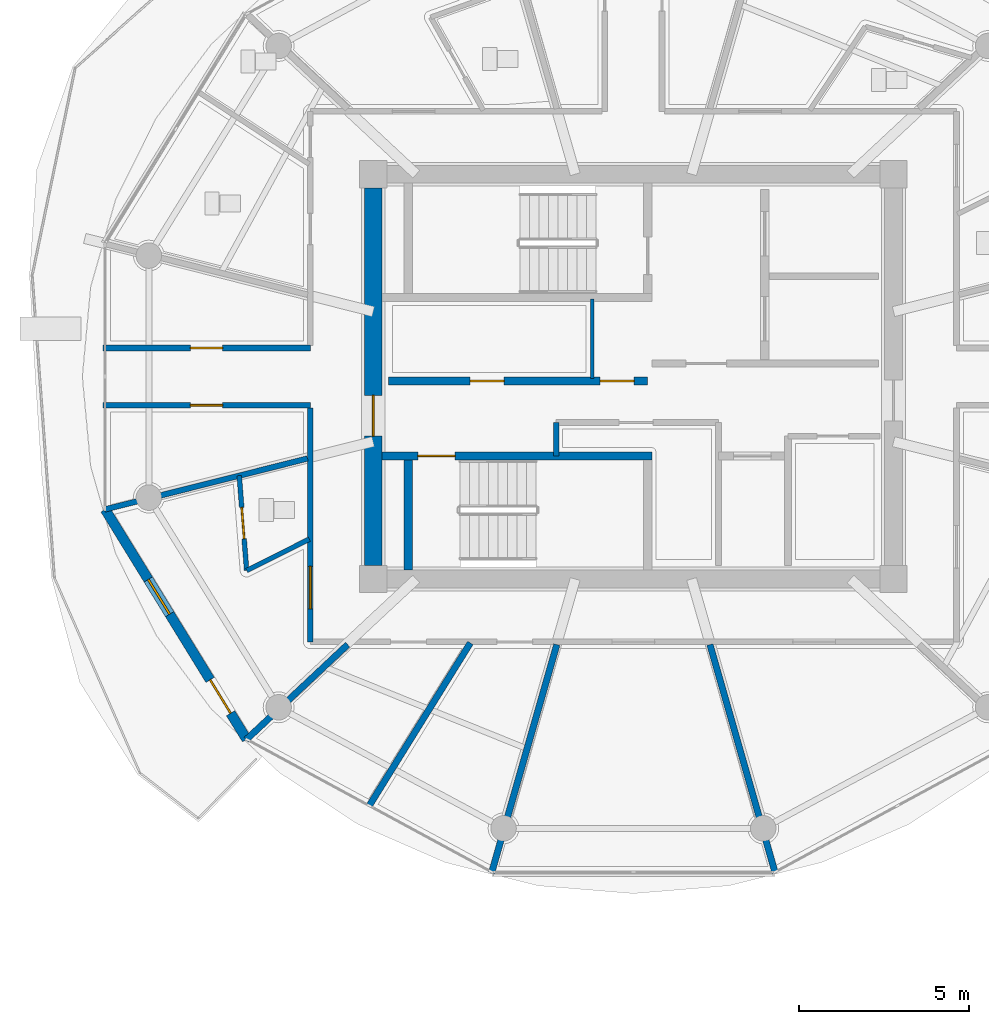
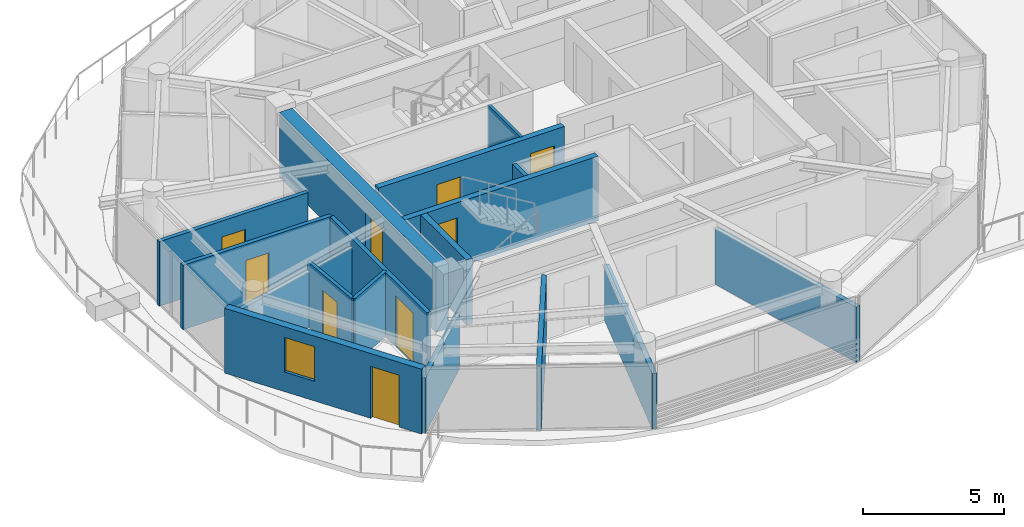
# One storey, part 13 of 30: 17 walls, 9 doors, 1 window, 10 openings.
"""IFC4 building model written with IfcOpenShell, lengths in metres."""

from ifc_helpers import new_model, si_unit, direction, frame, frame_2d, origin, place, context, subcontext, project, spatial, rectangle, extrude, source, transform, mapped, material, layer, layer_set, type_object, type_shapes, element, fill, save


model = new_model("IFC4")

# Units and contexts
model_context = context("Model", 3, precision=1e-05, world=origin(), true_north=direction((0.0, 1.0)))
body_context = subcontext(model_context, "Body", "Model", "MODEL_VIEW")
ifc_project = project(units=[si_unit("LENGTHUNIT", "METRE"), si_unit("AREAUNIT", "SQUARE_METRE"), si_unit("VOLUMEUNIT", "CUBIC_METRE"), si_unit("PLANEANGLEUNIT", "RADIAN"), si_unit("MASSUNIT", "GRAM", prefix="KILO")], contexts=[model_context])

# Site, building, storey
site_placement = place(None, origin())
site = spatial("IfcSite", under=ifc_project, at=site_placement, CompositionType="ELEMENT")
building_placement = place(site_placement, origin())
building = spatial("IfcBuilding", under=site, at=building_placement, Name="Norrkilde Senior Care Towers", CompositionType="ELEMENT")
storey_placement = place(building_placement, frame((0.0, 0.0, 232.199951171875)))
storey = spatial("IfcBuildingStorey", under=building, at=storey_placement, Name="L72", CompositionType="ELEMENT", Elevation=232.199951171875)

# Wall, opening, door
ifc_material_1 = material(Name="Concrete C50/60", Category="concrete")
ifc_layer_1 = layer(ifc_material_1, 0.52001953125)
ifc_layer_set_1 = layer_set([ifc_layer_1], Name="Concrete C50/60")
wall_type_1 = type_object("IfcWallType", Name="Core Shear Wall Z4 520", PredefinedType="SHEAR", material=ifc_layer_set_1)
shared_shape_1 = source(origin(), body_context, "Body", "SweptSolid", [
    extrude(rectangle(XDim=11.10009765625, YDim=0.52001953125, at=frame_2d((5.550048828125, 0.0))), origin(), (0.0, 0.0, 1.0), 2.81005859375),
])
type_shapes(wall_type_1, [shared_shape_1])
wall_1_placement = place(storey_placement, frame((-35.64990234375, -5.550048828125, 0.0), z_axis=(0.0, 0.0, 1.0), x_axis=(0.0, 1.0, 0.0)))
wall_1 = element("IfcWall", 1, at=wall_1_placement, inside=storey, type_object=wall_type_1, Name="L72 Core W West Shear Wall", PredefinedType="SHEAR", context=body_context, shape_type="MappedRepresentation", body=[
    mapped(shared_shape_1, transform((0.0, 0.0, 0.0), x_axis=(1.0, 0.0, 0.0), y_axis=(0.0, 1.0, 0.0), z_axis=(0.0, 0.0, 1.0), scale=1.0)),
])
opening_1_placement = place(wall_1_placement, frame((3.800048828125, 0.0, 0.0)))
opening_1 = element("IfcOpeningElement", 2, at=opening_1_placement, cuts=wall_1, Name="Opening D-04", PredefinedType="OPENING", context=body_context, shape_type="SweptSolid", body=[
    extrude(rectangle(XDim=1.199951171875, YDim=2.14990234375, at=frame_2d((0.60009765625, 1.074951171875))), frame((0.0, 0.27001953125, 0.0), z_axis=(0.0, -1.0, 0.0), x_axis=(1.0, 0.0, 0.0)), (0.0, 0.0, 1.0), 0.5400390625),
])
ifc_material_2 = material(Name="Galvanised Painted Steel", Category="steel")
door_type_1 = type_object("IfcDoorType", Name="Firefighting Lobby Fire Door 1200x2150", OperationType="NOTDEFINED", PredefinedType="DOOR", material=ifc_material_2)
shared_shape_2 = source(origin(), body_context, "Body", "SweptSolid", [
    extrude(rectangle(XDim=1.199951171875, YDim=2.14990234375, at=frame_2d((0.60009765625, 1.074951171875))), frame((0.0, 0.02490234375, 0.0), z_axis=(0.0, -1.0, 0.0), x_axis=(1.0, 0.0, 0.0)), (0.0, 0.0, 1.0), 0.050048828125),
])
type_shapes(door_type_1, [shared_shape_2])
door_1_placement = place(opening_1_placement, frame((1.199951171875, 0.0, 0.0), z_axis=(0.0, 0.0, 1.0), x_axis=(-1.0, 0.0, 0.0)))
door_1 = element("IfcDoor", 3, at=door_1_placement, inside=storey, type_object=door_type_1, Name="L72 Core W West Portal Door", OperationType="SINGLE_SWING_LEFT", OverallHeight=2.14990234375, OverallWidth=1.199951171875, PredefinedType="DOOR", context=body_context, shape_type="MappedRepresentation", body=[
    mapped(shared_shape_2, transform((0.0, 0.0, 0.0), x_axis=(1.0, 0.0, 0.0), y_axis=(0.0, 1.0, 0.0), z_axis=(0.0, 0.0, 1.0), scale=1.0)),
])
fill(opening_1, door_1)

# Wall, openings, door, window
ifc_material_3 = material(Name="Precast concrete C45/55", Category="concrete")
ifc_layer_2 = layer(ifc_material_3, 0.2900390625)
ifc_layer_set_2 = layer_set([ifc_layer_2], Name="Precast concrete C45/55")
wall_type_2 = type_object("IfcWallType", Name="Winter Garden Facade Wall 290", PredefinedType="SOLIDWALL", material=ifc_layer_set_2)
shared_shape_3 = source(origin(), body_context, "Body", "SweptSolid", [
    extrude(rectangle(XDim=7.938232421875, YDim=0.2900390625, at=frame_2d((3.96923828125, 0.0))), origin(), (0.0, 0.0, 1.0), 2.81005859375),
])
type_shapes(wall_type_2, [shared_shape_3])
wall_2_placement = place(storey_placement, frame((-39.370361328125, -10.6630859375, 0.0), z_axis=(0.0, 0.0, 1.0), x_axis=(-0.524244987663, 0.851567491694, 0.0)))
wall_2 = element("IfcWall", 4, at=wall_2_placement, inside=storey, type_object=wall_type_2, Name="L72 Drum W Balcony Access Wall 06", PredefinedType="SOLIDWALL", context=body_context, shape_type="MappedRepresentation", body=[
    mapped(shared_shape_3, transform((0.0, 0.0, 0.0), x_axis=(1.0, 0.0, 0.0), y_axis=(0.0, 1.0, 0.0), z_axis=(0.0, 0.0, 1.0), scale=1.0)),
])
opening_2_placement = place(wall_2_placement, frame((0.89990234375, 0.0, 0.0)))
opening_2 = element("IfcOpeningElement", 5, at=opening_2_placement, cuts=wall_2, Name="Opening D-09", PredefinedType="OPENING", context=body_context, shape_type="SweptSolid", body=[
    extrude(rectangle(XDim=1.14990234375, YDim=2.25, at=frame_2d((0.574951171875, 1.125))), frame((0.0, 0.155029296875, 0.0), z_axis=(0.0, -1.0, 0.0), x_axis=(1.0, 0.0, 0.0)), (0.0, 0.0, 1.0), 0.31005859375),
])
opening_3_placement = place(wall_2_placement, frame((4.3193359375, 0.0, 0.85009765625)))
opening_3 = element("IfcOpeningElement", 6, at=opening_3_placement, cuts=wall_2, Name="Opening WN-07", PredefinedType="OPENING", context=body_context, shape_type="SweptSolid", body=[
    extrude(rectangle(XDim=1.199951171875, YDim=1.5, at=frame_2d((0.60009765625, 0.75))), frame((0.0, 0.155029296875, 0.0), z_axis=(0.0, -1.0, 0.0), x_axis=(1.0, 0.0, 0.0)), (0.0, 0.0, 1.0), 0.31005859375),
])
ifc_material_4 = material(Name="Anodised Aluminium", Category="aluminium")
door_type_2 = type_object("IfcDoorType", Name="Terrace and Balcony Glazed Door 1150x2250", OperationType="NOTDEFINED", PredefinedType="DOOR", material=ifc_material_4)
shared_shape_4 = source(origin(), body_context, "Body", "SweptSolid", [
    extrude(rectangle(XDim=1.14990234375, YDim=2.25, at=frame_2d((0.574951171875, 1.125))), frame((0.0, 0.02490234375, 0.0), z_axis=(0.0, -1.0, 0.0), x_axis=(1.0, 0.0, 0.0)), (0.0, 0.0, 1.0), 0.050048828125),
])
type_shapes(door_type_2, [shared_shape_4])
door_2_placement = place(opening_2_placement, origin())
door_2 = element("IfcDoor", 7, at=door_2_placement, inside=storey, type_object=door_type_2, Name="L72 Drum W Outdoor Terrace Door 06", OperationType="SINGLE_SWING_LEFT", OverallHeight=2.25, OverallWidth=1.14990234375, PredefinedType="DOOR", context=body_context, shape_type="MappedRepresentation", body=[
    mapped(shared_shape_4, transform((0.0, 0.0, 0.0), x_axis=(1.0, 0.0, 0.0), y_axis=(0.0, 1.0, 0.0), z_axis=(0.0, 0.0, 1.0), scale=1.0)),
])
fill(opening_2, door_2)
ifc_material_5 = material(Name="Triple Low-E Insulated Glazing", Category="glass")
window_type = type_object("IfcWindowType", Name="Stairwell Smoke Vent Window 1200x1500", PartitioningType="SINGLE_PANEL", PredefinedType="WINDOW", material=ifc_material_5)
shared_shape_5 = source(origin(), body_context, "Body", "SweptSolid", [
    extrude(rectangle(XDim=1.199951171875, YDim=1.5, at=frame_2d((0.60009765625, 0.75))), frame((0.0, 0.030029296875, 0.0), z_axis=(0.0, -1.0, 0.0), x_axis=(1.0, 0.0, 0.0)), (0.0, 0.0, 1.0), 0.06005859375),
])
type_shapes(window_type, [shared_shape_5])
window_placement = place(opening_3_placement, origin())
window = element("IfcWindow", 8, at=window_placement, inside=storey, type_object=window_type, Name="L72 Drum W Winter Garden Window 06", OverallHeight=1.5, OverallWidth=1.199951171875, PartitioningType="SINGLE_PANEL", PredefinedType="WINDOW", context=body_context, shape_type="MappedRepresentation", body=[
    mapped(shared_shape_5, transform((0.0, 0.0, 0.0), x_axis=(1.0, 0.0, 0.0), y_axis=(0.0, 1.0, 0.0), z_axis=(0.0, 0.0, 1.0), scale=1.0)),
])
fill(opening_3, window)

# Wall, openings, doors
ifc_material_6 = material(Name="Concrete C45/55", Category="concrete")
ifc_layer_3 = layer(ifc_material_6, 0.239990234375)
ifc_layer_set_3 = layer_set([ifc_layer_3], Name="Concrete C45/55")
wall_type_3 = type_object("IfcWallType", Name="Lift and Plant Rated Enclosure Partition 240", PredefinedType="PARTITIONING", material=ifc_layer_set_3)
shared_shape_6 = source(origin(), body_context, "Body", "SweptSolid", [
    extrude(rectangle(XDim=7.619873046875, YDim=0.239990234375, at=frame_2d((3.81005859375, 0.0))), origin(), (0.0, 0.0, 1.0), 2.795166015625),
])
type_shapes(wall_type_3, [shared_shape_6])
wall_3_placement = place(storey_placement, frame((-35.199951171875, -0.1298828125, 0.0), z_axis=(0.0, 0.0, 1.0), x_axis=(1.0, 0.0, 0.0)))
wall_3 = element("IfcWall", 9, at=wall_3_placement, inside=storey, type_object=wall_type_3, Name="WL-INT-L72-W-PKAS", PredefinedType="PARTITIONING", context=body_context, shape_type="MappedRepresentation", body=[
    mapped(shared_shape_6, transform((0.0, 0.0, 0.0), x_axis=(1.0, 0.0, 0.0), y_axis=(0.0, 1.0, 0.0), z_axis=(0.0, 0.0, 1.0), scale=1.0)),
])
opening_4_placement = place(wall_3_placement, frame((6.219970703125, 0.0, 0.0)))
opening_4 = element("IfcOpeningElement", 10, at=opening_4_placement, cuts=wall_3, Name="Opening D-10", PredefinedType="OPENING", context=body_context, shape_type="SweptSolid", body=[
    extrude(rectangle(XDim=1.0, YDim=2.10009765625, at=frame_2d((0.5, 1.050048828125))), frame((0.0, 0.1298828125, 0.0), z_axis=(0.0, -1.0, 0.0), x_axis=(1.0, 0.0, 0.0)), (0.0, 0.0, 1.0), 0.260009765625),
])
opening_5_placement = place(wall_3_placement, frame((2.39990234375, 0.0, 0.0)))
opening_5 = element("IfcOpeningElement", 11, at=opening_5_placement, cuts=wall_3, Name="Opening D-10", PredefinedType="OPENING", context=body_context, shape_type="SweptSolid", body=[
    extrude(rectangle(XDim=1.0, YDim=2.10009765625, at=frame_2d((0.5, 1.050048828125))), frame((0.0, 0.1298828125, 0.0), z_axis=(0.0, -1.0, 0.0), x_axis=(1.0, 0.0, 0.0)), (0.0, 0.0, 1.0), 0.260009765625),
])
door_type_3 = type_object("IfcDoorType", Name="Plant and Riser Rated Door 1000x2100", OperationType="NOTDEFINED", PredefinedType="DOOR", material=ifc_material_2)
shared_shape_7 = source(origin(), body_context, "Body", "SweptSolid", [
    extrude(rectangle(XDim=1.0, YDim=2.10009765625, at=frame_2d((0.5, 1.050048828125))), frame((0.0, 0.02490234375, 0.0), z_axis=(0.0, -1.0, 0.0), x_axis=(1.0, 0.0, 0.0)), (0.0, 0.0, 1.0), 0.050048828125),
])
type_shapes(door_type_3, [shared_shape_7])
door_3_placement = place(opening_4_placement, frame((1.0, 0.0, 0.0), z_axis=(0.0, 0.0, 1.0), x_axis=(-1.0, 0.0, 0.0)))
door_3 = element("IfcDoor", 12, at=door_3_placement, inside=storey, type_object=door_type_3, Name="L72 Electrical Riser W Door", OperationType="SINGLE_SWING_LEFT", OverallHeight=2.10009765625, OverallWidth=1.0, PredefinedType="DOOR", context=body_context, shape_type="MappedRepresentation", body=[
    mapped(shared_shape_7, transform((0.0, 0.0, 0.0), x_axis=(1.0, 0.0, 0.0), y_axis=(0.0, 1.0, 0.0), z_axis=(0.0, 0.0, 1.0), scale=1.0)),
])
fill(opening_4, door_3)
door_4_placement = place(opening_5_placement, frame((1.0, 0.0, 0.0), z_axis=(0.0, 0.0, 1.0), x_axis=(-1.0, 0.0, 0.0)))
door_4 = element("IfcDoor", 13, at=door_4_placement, inside=storey, type_object=door_type_3, Name="L72 Clean Supply Store W Door", OperationType="SINGLE_SWING_LEFT", OverallHeight=2.10009765625, OverallWidth=1.0, PredefinedType="DOOR", context=body_context, shape_type="MappedRepresentation", body=[
    mapped(shared_shape_7, transform((0.0, 0.0, 0.0), x_axis=(1.0, 0.0, 0.0), y_axis=(0.0, 1.0, 0.0), z_axis=(0.0, 0.0, 1.0), scale=1.0)),
])
fill(opening_5, door_4)

# Wall
ifc_material_7 = material(Name="Gypsum Acoustic Board")
ifc_layer_4 = layer(ifc_material_7, 0.114990234375)
ifc_layer_set_4 = layer_set([ifc_layer_4], Name="Gypsum Acoustic Board")
wall_type_4 = type_object("IfcWallType", Name="Internal Room Partition 115", PredefinedType="PARTITIONING", material=ifc_layer_set_4)
shared_shape_8 = source(origin(), body_context, "Body", "SweptSolid", [
    extrude(rectangle(XDim=2.330078125, YDim=0.114990234375, at=frame_2d((1.1650390625, 0.0))), origin(), (0.0, 0.0, 1.0), 2.795166015625),
])
type_shapes(wall_type_4, [shared_shape_8])
wall_4_placement = place(storey_placement, frame((-29.2099609375, -0.050048828125, 0.0), z_axis=(0.0, 0.0, 1.0), x_axis=(0.0, 1.0, 0.0)))
element("IfcWall", 14, at=wall_4_placement, inside=storey, type_object=wall_type_4, Name="WL-INT-L72-W-RISW", PredefinedType="PARTITIONING", context=body_context, shape_type="MappedRepresentation", body=[
    mapped(shared_shape_8, transform((0.0, 0.0, 0.0), x_axis=(1.0, 0.0, 0.0), y_axis=(0.0, 1.0, 0.0), z_axis=(0.0, 0.0, 1.0), scale=1.0)),
])

# Wall, opening, door
ifc_layer_5 = layer(ifc_material_7, 0.1650390625)
ifc_layer_set_5 = layer_set([ifc_layer_5], Name="Gypsum Acoustic Board")
wall_type_5 = type_object("IfcWallType", Name="Corridor Rated Partition 165", PredefinedType="PARTITIONING", material=ifc_layer_set_5)
shared_shape_9 = source(origin(), body_context, "Body", "SweptSolid", [
    extrude(rectangle(XDim=6.880126953125, YDim=0.1650390625, at=frame_2d((3.43994140625, 0.0))), origin(), (0.0, 0.0, 1.0), 2.795166015625),
])
wall_5_placement = place(storey_placement, frame((-37.5, -7.800048828125, 0.0), z_axis=(0.0, 0.0, 1.0), x_axis=(0.0, 1.0, 0.0)))
wall_5 = element("IfcWall", 15, at=wall_5_placement, inside=storey, type_object=wall_type_5, Name="WL-INT-L72-W-CRW-W-0", PredefinedType="PARTITIONING", context=body_context, shape_type="MappedRepresentation", body=[
    mapped(shared_shape_9, transform((0.0, 0.0, 0.0), x_axis=(1.0, 0.0, 0.0), y_axis=(0.0, 1.0, 0.0), z_axis=(0.0, 0.0, 1.0), scale=1.0)),
])
opening_6_placement = place(wall_5_placement, frame((0.96826171875, 0.0, 0.0)))
opening_6 = element("IfcOpeningElement", 16, at=opening_6_placement, cuts=wall_5, Name="Opening D-05", PredefinedType="OPENING", context=body_context, shape_type="SweptSolid", body=[
    extrude(rectangle(XDim=1.25, YDim=2.199951171875, at=frame_2d((0.625, 1.10009765625))), frame((0.0, 0.092529296875, 0.0), z_axis=(0.0, -1.0, 0.0), x_axis=(1.0, 0.0, 0.0)), (0.0, 0.0, 1.0), 0.18505859375),
])
ifc_material_8 = material(Name="Nordic Ash Timber", Category="wood")
door_type_4 = type_object("IfcDoorType", Name="Care Bedroom Bariatric Door 1250x2200", OperationType="NOTDEFINED", PredefinedType="DOOR", material=ifc_material_8)
shared_shape_10 = source(origin(), body_context, "Body", "SweptSolid", [
    extrude(rectangle(XDim=1.25, YDim=2.199951171875, at=frame_2d((0.625, 1.10009765625))), frame((0.0, 0.02490234375, 0.0), z_axis=(0.0, -1.0, 0.0), x_axis=(1.0, 0.0, 0.0)), (0.0, 0.0, 1.0), 0.050048828125),
])
type_shapes(door_type_4, [shared_shape_10])
door_5_placement = place(opening_6_placement, frame((1.25, 0.0, 0.0), z_axis=(0.0, 0.0, 1.0), x_axis=(-1.0, 0.0, 0.0)))
door_5 = element("IfcDoor", 17, at=door_5_placement, inside=storey, type_object=door_type_4, Name="L72 Care Suite 7206 Entrance Door", OperationType="SINGLE_SWING_LEFT", OverallHeight=2.199951171875, OverallWidth=1.25, PredefinedType="DOOR", context=body_context, shape_type="MappedRepresentation", body=[
    mapped(shared_shape_10, transform((0.0, 0.0, 0.0), x_axis=(1.0, 0.0, 0.0), y_axis=(0.0, 1.0, 0.0), z_axis=(0.0, 0.0, 1.0), scale=1.0)),
])
fill(opening_6, door_5)

# Wall
shared_shape_11 = source(origin(), body_context, "Body", "SweptSolid", [
    extrude(rectangle(XDim=0.97998046875, YDim=0.1650390625, at=frame_2d((0.489990234375, 0.0))), origin(), (0.0, 0.0, 1.0), 2.795166015625),
])
wall_6_placement = place(storey_placement, frame((-30.27001953125, -2.330078125, 0.0), z_axis=(0.0, 0.0, 1.0), x_axis=(0.0, 1.0, 0.0)))
element("IfcWall", 18, at=wall_6_placement, inside=storey, type_object=wall_type_5, Name="WL-INT-L72-W-FR2W", PredefinedType="PARTITIONING", context=body_context, shape_type="MappedRepresentation", body=[
    mapped(shared_shape_11, transform((0.0, 0.0, 0.0), x_axis=(1.0, 0.0, 0.0), y_axis=(0.0, 1.0, 0.0), z_axis=(0.0, 0.0, 1.0), scale=1.0)),
])

# Wall, opening, door
ifc_layer_6 = layer(ifc_material_6, 0.239990234375)
ifc_layer_set_6 = layer_set([ifc_layer_6], Name="Concrete C45/55")
wall_type_6 = type_object("IfcWallType", Name="Shaft and Stair Enclosure Wall 240", PredefinedType="PARTITIONING", material=ifc_layer_set_6)
shared_shape_12 = source(origin(), body_context, "Body", "SweptSolid", [
    extrude(rectangle(XDim=7.929931640625, YDim=0.239990234375, at=frame_2d((3.96484375, 0.0))), origin(), (0.0, 0.0, 1.0), 2.81005859375),
])
wall_7_placement = place(storey_placement, frame((-35.389892578125, -2.330078125, 0.0), z_axis=(0.0, 0.0, 1.0), x_axis=(1.0, 0.0, 0.0)))
wall_7 = element("IfcWall", 19, at=wall_7_placement, inside=storey, type_object=wall_type_6, Name="WL-INT-L72-W-ST2N", PredefinedType="PARTITIONING", context=body_context, shape_type="MappedRepresentation", body=[
    mapped(shared_shape_12, transform((0.0, 0.0, 0.0), x_axis=(1.0, 0.0, 0.0), y_axis=(0.0, 1.0, 0.0), z_axis=(0.0, 0.0, 1.0), scale=1.0)),
])
opening_7_placement = place(wall_7_placement, frame((1.050048828125, 0.0, 0.0)))
opening_7 = element("IfcOpeningElement", 20, at=opening_7_placement, cuts=wall_7, Name="Opening D-03", PredefinedType="OPENING", context=body_context, shape_type="SweptSolid", body=[
    extrude(rectangle(XDim=1.10009765625, YDim=2.14990234375, at=frame_2d((0.550048828125, 1.074951171875))), frame((0.0, 0.1298828125, 0.0), z_axis=(0.0, -1.0, 0.0), x_axis=(1.0, 0.0, 0.0)), (0.0, 0.0, 1.0), 0.260009765625),
])
door_type_5 = type_object("IfcDoorType", Name="Stairwell Protected Fire Door 1100x2150", OperationType="NOTDEFINED", PredefinedType="DOOR", material=ifc_material_2)
shared_shape_13 = source(origin(), body_context, "Body", "SweptSolid", [
    extrude(rectangle(XDim=1.10009765625, YDim=2.14990234375, at=frame_2d((0.550048828125, 1.074951171875))), frame((0.0, 0.02490234375, 0.0), z_axis=(0.0, -1.0, 0.0), x_axis=(1.0, 0.0, 0.0)), (0.0, 0.0, 1.0), 0.050048828125),
])
type_shapes(door_type_5, [shared_shape_13])
door_6_placement = place(opening_7_placement, frame((1.10009765625, 0.0, 0.0), z_axis=(0.0, 0.0, 1.0), x_axis=(-1.0, 0.0, 0.0)))
door_6 = element("IfcDoor", 21, at=door_6_placement, inside=storey, type_object=door_type_5, Name="L72 Stair W2 Fire Door", OperationType="SINGLE_SWING_RIGHT", OverallHeight=2.14990234375, OverallWidth=1.10009765625, PredefinedType="DOOR", context=body_context, shape_type="MappedRepresentation", body=[
    mapped(shared_shape_13, transform((0.0, 0.0, 0.0), x_axis=(1.0, 0.0, 0.0), y_axis=(0.0, 1.0, 0.0), z_axis=(0.0, 0.0, 1.0), scale=1.0)),
])
fill(opening_7, door_6)

# Walls
shared_shape_14 = source(origin(), body_context, "Body", "SweptSolid", [
    extrude(rectangle(XDim=3.239990234375, YDim=0.239990234375, at=frame_2d((1.6201171875, 0.0))), origin(), (0.0, 0.0, 1.0), 2.81005859375),
])
type_shapes(wall_type_6, [shared_shape_12, shared_shape_14])
wall_8_placement = place(storey_placement, frame((-34.6201171875, -5.68994140625, 0.0), z_axis=(0.0, 0.0, 1.0), x_axis=(0.0, 1.0, 0.0)))
element("IfcWall", 22, at=wall_8_placement, inside=storey, type_object=wall_type_6, Name="WL-INT-L72-W-ST2W", PredefinedType="PARTITIONING", context=body_context, shape_type="MappedRepresentation", body=[
    mapped(shared_shape_14, transform((0.0, 0.0, 0.0), x_axis=(1.0, 0.0, 0.0), y_axis=(0.0, 1.0, 0.0), z_axis=(0.0, 0.0, 1.0), scale=1.0)),
])
shared_shape_15 = source(origin(), body_context, "Body", "SweptSolid", [
    extrude(rectangle(XDim=6.1572265625, YDim=0.1650390625, at=frame_2d((3.07861328125, 0.0))), origin(), (0.0, 0.0, 1.0), 2.39501953125),
])
wall_9_placement = place(storey_placement, frame((-37.580078125, -2.407470703125, 0.0), z_axis=(0.0, 0.0, 1.0), x_axis=(-0.969840867184, -0.243738984038, 0.0)))
element("IfcWall", 23, at=wall_9_placement, inside=storey, type_object=wall_type_5, Name="WL-INT-L72-W-DEM-06-0", PredefinedType="PARTITIONING", context=body_context, shape_type="MappedRepresentation", body=[
    mapped(shared_shape_15, transform((0.0, 0.0, 0.0), x_axis=(1.0, 0.0, 0.0), y_axis=(0.0, 1.0, 0.0), z_axis=(0.0, 0.0, 1.0), scale=1.0)),
])

# Wall, opening, door
shared_shape_16 = source(origin(), body_context, "Body", "SweptSolid", [
    extrude(rectangle(XDim=6.101318359375, YDim=0.1650390625, at=frame_2d((3.05078125, 0.0))), origin(), (0.0, 0.0, 1.0), 2.795166015625),
])
type_shapes(wall_type_5, [shared_shape_9, shared_shape_11, shared_shape_15, shared_shape_16])
wall_10_placement = place(storey_placement, frame((-43.601318359375, 0.840087890625, 0.0), z_axis=(0.0, 0.0, 1.0), x_axis=(1.0, 0.0, 0.0)))
wall_10 = element("IfcWall", 24, at=wall_10_placement, inside=storey, type_object=wall_type_5, Name="WL-INT-L72-W-SPK-W1-0", PredefinedType="PARTITIONING", context=body_context, shape_type="MappedRepresentation", body=[
    mapped(shared_shape_16, transform((0.0, 0.0, 0.0), x_axis=(1.0, 0.0, 0.0), y_axis=(0.0, 1.0, 0.0), z_axis=(0.0, 0.0, 1.0), scale=1.0)),
])
opening_8_placement = place(wall_10_placement, frame((2.57568359375, 0.0, 0.0)))
opening_8 = element("IfcOpeningElement", 25, at=opening_8_placement, cuts=wall_10, Name="Opening D-07", PredefinedType="OPENING", context=body_context, shape_type="SweptSolid", body=[
    extrude(rectangle(XDim=0.949951171875, YDim=2.10009765625, at=frame_2d((0.47509765625, 1.050048828125))), frame((0.0, 0.092529296875, 0.0), z_axis=(0.0, -1.0, 0.0), x_axis=(1.0, 0.0, 0.0)), (0.0, 0.0, 1.0), 0.18505859375),
])
door_type_6 = type_object("IfcDoorType", Name="Internal Suite Bedroom Door 950x2100", OperationType="NOTDEFINED", PredefinedType="DOOR", material=ifc_material_8)
shared_shape_17 = source(origin(), body_context, "Body", "SweptSolid", [
    extrude(rectangle(XDim=0.949951171875, YDim=2.10009765625, at=frame_2d((0.47509765625, 1.050048828125))), frame((0.0, 0.02490234375, 0.0), z_axis=(0.0, -1.0, 0.0), x_axis=(1.0, 0.0, 0.0)), (0.0, 0.0, 1.0), 0.050048828125),
])
type_shapes(door_type_6, [shared_shape_17])
door_7_placement = place(opening_8_placement, frame((0.949951171875, 0.0, 0.0), z_axis=(0.0, 0.0, 1.0), x_axis=(-1.0, 0.0, 0.0)))
door_7 = element("IfcDoor", 26, at=door_7_placement, inside=storey, type_object=door_type_6, Name="L72 Sun Reading Lounge 2 Door", OperationType="SINGLE_SWING_LEFT", OverallHeight=2.10009765625, OverallWidth=0.949951171875, PredefinedType="DOOR", context=body_context, shape_type="MappedRepresentation", body=[
    mapped(shared_shape_17, transform((0.0, 0.0, 0.0), x_axis=(1.0, 0.0, 0.0), y_axis=(0.0, 1.0, 0.0), z_axis=(0.0, 0.0, 1.0), scale=1.0)),
])
fill(opening_8, door_7)

wall_11_placement = place(storey_placement, frame((-37.5, -0.840087890625, 0.0), z_axis=(0.0, 0.0, 1.0), x_axis=(-1.0, 0.0, 0.0)))
wall_11 = element("IfcWall", 27, at=wall_11_placement, inside=storey, type_object=wall_type_5, Name="WL-INT-L72-W-SPK-W2-0", PredefinedType="PARTITIONING", context=body_context, shape_type="MappedRepresentation", body=[
    mapped(shared_shape_16, transform((0.0, 0.0, 0.0), x_axis=(1.0, 0.0, 0.0), y_axis=(0.0, 1.0, 0.0), z_axis=(0.0, 0.0, 1.0), scale=1.0)),
])
opening_9_placement = place(wall_11_placement, frame((2.57568359375, 0.0, 0.0)))
opening_9 = element("IfcOpeningElement", 28, at=opening_9_placement, cuts=wall_11, Name="Opening D-07", PredefinedType="OPENING", context=body_context, shape_type="SweptSolid", body=[
    extrude(rectangle(XDim=0.949951171875, YDim=2.10009765625, at=frame_2d((0.47509765625, 1.050048828125))), frame((0.0, 0.092529296875, 0.0), z_axis=(0.0, -1.0, 0.0), x_axis=(1.0, 0.0, 0.0)), (0.0, 0.0, 1.0), 0.18505859375),
])
door_8_placement = place(opening_9_placement, frame((0.949951171875, 0.0, 0.0), z_axis=(0.0, 0.0, 1.0), x_axis=(-1.0, 0.0, 0.0)))
door_8 = element("IfcDoor", 29, at=door_8_placement, inside=storey, type_object=door_type_6, Name="L72 Sun Reading Lounge 1 Door", OperationType="SINGLE_SWING_RIGHT", OverallHeight=2.10009765625, OverallWidth=0.949951171875, PredefinedType="DOOR", context=body_context, shape_type="MappedRepresentation", body=[
    mapped(shared_shape_17, transform((0.0, 0.0, 0.0), x_axis=(1.0, 0.0, 0.0), y_axis=(0.0, 1.0, 0.0), z_axis=(0.0, 0.0, 1.0), scale=1.0)),
])
fill(opening_9, door_8)

# Walls
ifc_layer_7 = layer(ifc_material_7, 0.18994140625)
ifc_layer_set_7 = layer_set([ifc_layer_7], Name="Gypsum Acoustic Board")
wall_type_7 = type_object("IfcWallType", Name="Unit Demising Acoustic Wall 190", PredefinedType="PARTITIONING", material=ifc_layer_set_7)
shared_shape_18 = source(origin(), body_context, "Body", "SweptSolid", [
    extrude(rectangle(XDim=4.089111328125, YDim=0.18994140625, at=frame_2d((2.04443359375, 0.0))), origin(), (0.0, 0.0, 1.0), 2.39501953125),
])
wall_12_placement = place(storey_placement, frame((-36.40185546875, -7.8798828125, 0.0), z_axis=(0.0, 0.0, 1.0), x_axis=(-0.729401273609, -0.684086092577, 0.0)))
element("IfcWall", 30, at=wall_12_placement, inside=storey, type_object=wall_type_7, Name="WL-INT-L72-W-DEM-07-0", PredefinedType="PARTITIONING", context=body_context, shape_type="MappedRepresentation", body=[
    mapped(shared_shape_18, transform((0.0, 0.0, 0.0), x_axis=(1.0, 0.0, 0.0), y_axis=(0.0, 1.0, 0.0), z_axis=(0.0, 0.0, 1.0), scale=1.0)),
])
shared_shape_19 = source(origin(), body_context, "Body", "SweptSolid", [
    extrude(rectangle(XDim=5.65185546875, YDim=0.18994140625, at=frame_2d((2.825927734375, 0.0))), origin(), (0.0, 0.0, 1.0), 2.795166015625),
])
wall_13_placement = place(storey_placement, frame((-32.7939453125, -7.830078125, 0.0), z_axis=(0.0, 0.0, 1.0), x_axis=(-0.527566076956, -0.84951399897, 0.0)))
element("IfcWall", 31, at=wall_13_placement, inside=storey, type_object=wall_type_7, Name="WL-INT-L72-W-MID-07", PredefinedType="PARTITIONING", context=body_context, shape_type="MappedRepresentation", body=[
    mapped(shared_shape_19, transform((0.0, 0.0, 0.0), x_axis=(1.0, 0.0, 0.0), y_axis=(0.0, 1.0, 0.0), z_axis=(0.0, 0.0, 1.0), scale=1.0)),
])
ifc_layer_8 = layer(ifc_material_7, 0.139892578125)
ifc_layer_set_8 = layer_set([ifc_layer_8], Name="Gypsum Acoustic Board")
wall_type_8 = type_object("IfcWallType", Name="En-suite Wet Room Wall 140", PredefinedType="PARTITIONING", material=ifc_layer_set_8)
shared_shape_20 = source(origin(), body_context, "Body", "SweptSolid", [
    extrude(rectangle(XDim=2.059814453125, YDim=0.139892578125, at=frame_2d((1.02978515625, 0.0))), origin(), (0.0, 0.0, 1.0), 2.795166015625),
])
wall_14_placement = place(storey_placement, frame((-37.530029296875, -4.7783203125, 0.0), z_axis=(0.0, 0.0, 1.0), x_axis=(-0.893952568722, -0.448161583444, 0.0)))
element("IfcWall", 32, at=wall_14_placement, inside=storey, type_object=wall_type_8, Name="WL-INT-L72-W-ES-06", PredefinedType="PARTITIONING", context=body_context, shape_type="MappedRepresentation", body=[
    mapped(shared_shape_20, transform((0.0, 0.0, 0.0), x_axis=(1.0, 0.0, 0.0), y_axis=(0.0, 1.0, 0.0), z_axis=(0.0, 0.0, 1.0), scale=1.0)),
])

# Wall, opening, door
shared_shape_21 = source(origin(), body_context, "Body", "SweptSolid", [
    extrude(rectangle(XDim=2.79833984375, YDim=0.139892578125, at=frame_2d((1.399169921875, 0.0))), origin(), (0.0, 0.0, 1.0), 2.795166015625),
])
type_shapes(wall_type_8, [shared_shape_20, shared_shape_21])
wall_15_placement = place(storey_placement, frame((-39.371337890625, -5.701416015625, 0.0), z_axis=(0.0, 0.0, 1.0), x_axis=(-0.077823984089, 0.996967114553, 0.0)))
wall_15 = element("IfcWall", 33, at=wall_15_placement, inside=storey, type_object=wall_type_8, Name="WL-INT-L72-W-EF-06", PredefinedType="PARTITIONING", context=body_context, shape_type="MappedRepresentation", body=[
    mapped(shared_shape_21, transform((0.0, 0.0, 0.0), x_axis=(1.0, 0.0, 0.0), y_axis=(0.0, 1.0, 0.0), z_axis=(0.0, 0.0, 1.0), scale=1.0)),
])
opening_10_placement = place(wall_15_placement, frame((0.939208984375, 0.0, 0.0)))
opening_10 = element("IfcOpeningElement", 34, at=opening_10_placement, cuts=wall_15, Name="Opening D-08", PredefinedType="OPENING", context=body_context, shape_type="SweptSolid", body=[
    extrude(rectangle(XDim=0.919921875, YDim=2.10009765625, at=frame_2d((0.4599609375, 1.050048828125))), frame((0.0, 0.079833984375, 0.0), z_axis=(0.0, -1.0, 0.0), x_axis=(1.0, 0.0, 0.0)), (0.0, 0.0, 1.0), 0.159912109375),
])
door_type_7 = type_object("IfcDoorType", Name="Accessible Wet Room Door 920x2100", OperationType="NOTDEFINED", PredefinedType="DOOR", material=ifc_material_8)
shared_shape_22 = source(origin(), body_context, "Body", "SweptSolid", [
    extrude(rectangle(XDim=0.919921875, YDim=2.10009765625, at=frame_2d((0.4599609375, 1.050048828125))), frame((0.0, 0.02490234375, 0.0), z_axis=(0.0, -1.0, 0.0), x_axis=(1.0, 0.0, 0.0)), (0.0, 0.0, 1.0), 0.050048828125),
])
type_shapes(door_type_7, [shared_shape_22])
door_9_placement = place(opening_10_placement, origin())
door_9 = element("IfcDoor", 35, at=door_9_placement, inside=storey, type_object=door_type_7, Name="L72 Care Suite 7206 Bathroom Door", OperationType="SINGLE_SWING_RIGHT", OverallHeight=2.10009765625, OverallWidth=0.919921875, PredefinedType="DOOR", context=body_context, shape_type="MappedRepresentation", body=[
    mapped(shared_shape_22, transform((0.0, 0.0, 0.0), x_axis=(1.0, 0.0, 0.0), y_axis=(0.0, 1.0, 0.0), z_axis=(0.0, 0.0, 1.0), scale=1.0)),
])
fill(opening_10, door_9)

# Walls
shared_shape_23 = source(origin(), body_context, "Body", "SweptSolid", [
    extrude(rectangle(XDim=6.973876953125, YDim=0.18994140625, at=frame_2d((3.48681640625, 0.0))), origin(), (0.0, 0.0, 1.0), 2.39501953125),
])
type_shapes(wall_type_7, [shared_shape_18, shared_shape_19, shared_shape_23])
for number, where, z_axis, x_axis, name in (
    (36, (-30.251220703125, -7.8798828125, 0.0), (0.0, 0.0, 1.0), (-0.274707256801, -0.961527910703, 0.0), "WL-INT-L72-W-DEM-08-0"),
    (37, (-25.748779296875, -7.8798828125, 0.0), (0.0, 0.0, 1.0), (0.274707256801, -0.961527910703, 0.0), "WL-INT-L72-W-DEM-09-0"),
):
    element("IfcWall", number, at=place(storey_placement, frame(where, z_axis=z_axis, x_axis=x_axis)), inside=storey, type_object=wall_type_7, Name=name, PredefinedType="PARTITIONING", context=body_context, shape_type="MappedRepresentation", body=[
        mapped(shared_shape_23, transform((0.0, 0.0, 0.0), x_axis=(1.0, 0.0, 0.0), y_axis=(0.0, 1.0, 0.0), z_axis=(0.0, 0.0, 1.0), scale=1.0)),
    ])

save(model, "model.ifc")
